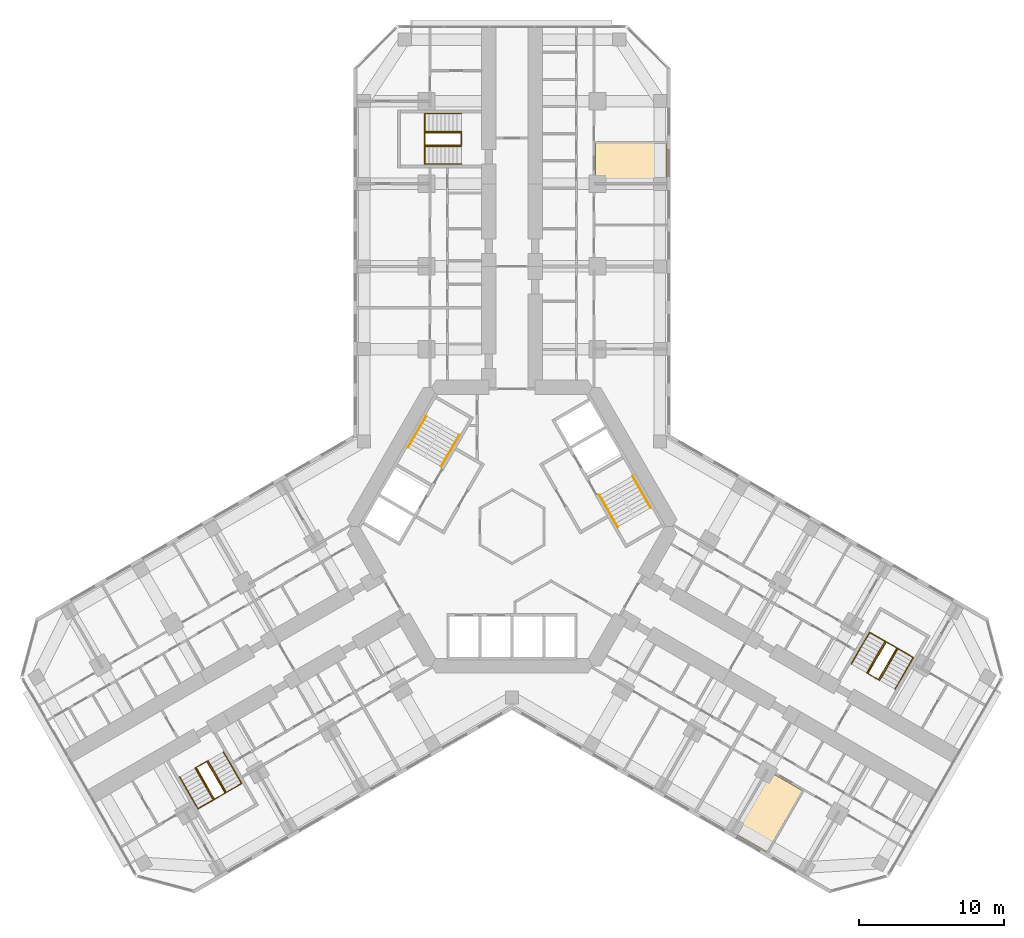
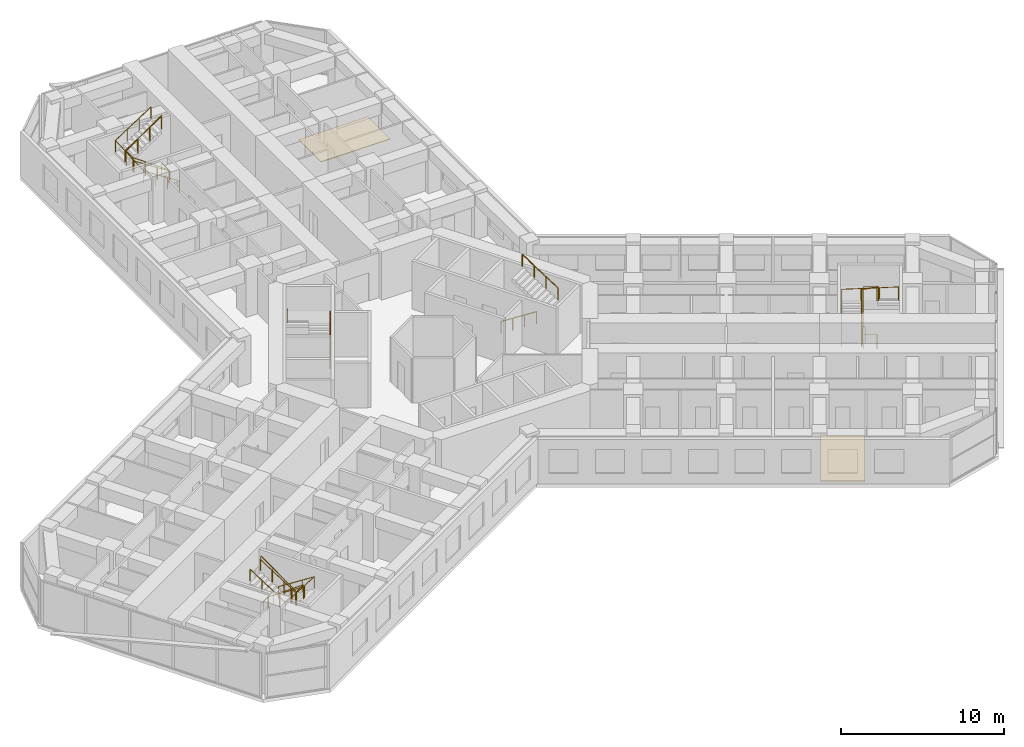
# One storey, part 21 of 21: 13 railings, 2 coverings.
"""IFC4 building model written with IfcOpenShell, lengths in metres."""

from ifc_helpers import new_model, si_unit, direction, frame, origin, origin_2d, place, context, subcontext, project, spatial, polyline, circle, outline, extrude, material, layer, layer_set, type_object, element, save


model = new_model("IFC4")

# Units and contexts
model_context = context("Model", 3, precision=1e-05, world=origin(), true_north=direction((0.0, 1.0)))
body_context = subcontext(model_context, "Body", "Model", "MODEL_VIEW")
ifc_project = project(units=[si_unit("LENGTHUNIT", "METRE"), si_unit("AREAUNIT", "SQUARE_METRE"), si_unit("VOLUMEUNIT", "CUBIC_METRE"), si_unit("PLANEANGLEUNIT", "RADIAN"), si_unit("MASSUNIT", "GRAM", prefix="KILO")], contexts=[model_context])

# Site, building, storey
site_placement = place(None, origin())
site = spatial("IfcSite", under=ifc_project, at=site_placement, CompositionType="ELEMENT")
building_placement = place(site_placement, origin())
building = spatial("IfcBuilding", under=site, at=building_placement, Name="Kosmar Iwan School Tower", CompositionType="ELEMENT")
storey_placement = place(building_placement, frame((0.0, 0.0, 98.800048828125)))
storey = spatial("IfcBuildingStorey", under=building, at=storey_placement, Name="L24", CompositionType="ELEMENT", Elevation=98.800048828125)

# Railings
ifc_material_1 = material(Name="Black steel", Category="steel")
railing_type_1 = type_object("IfcRailingType", Name="Stair handrail 900", PredefinedType="HANDRAIL", material=ifc_material_1)
railing_1_placement = place(storey_placement, frame((-4.89453125, 4.142333984375, 0.179931640625)))
element("IfcRailing", 1, at=railing_1_placement, inside=storey, type_object=railing_type_1, Name="Handrail ST2 flight 1", PredefinedType="HANDRAIL", context=body_context, shape_type="SweptSolid", body=[
    extrude(circle(Radius=0.02392578125, at=origin_2d()), frame((0.0, 0.0, 0.8759765625), z_axis=(0.420584145978, 0.728463801763, 0.540785970299), x_axis=(-0.866022637375, 0.500004791531, 0.0)), (0.0, 0.0, 1.0), 2.995849609375),
    extrude(circle(Radius=0.02099609375, at=origin_2d()), origin(), (0.0, 0.0, 1.0), 0.851806640625),
    extrude(circle(Radius=0.02099609375, at=origin_2d()), frame((0.419921875, 0.7275390625, 0.5400390625)), (0.0, 0.0, 1.0), 0.851806640625),
    extrude(circle(Radius=0.02099609375, at=origin_2d()), frame((0.840087890625, 1.454833984375, 1.080078125)), (0.0, 0.0, 1.0), 0.851806640625),
    extrude(circle(Radius=0.02099609375, at=origin_2d()), frame((1.260009765625, 2.182373046875, 1.6201171875)), (0.0, 0.0, 1.0), 0.851806640625),
])
railing_2_placement = place(storey_placement, frame((-5.912353515625, 7.6396484375, 1.97998046875)))
element("IfcRailing", 2, at=railing_2_placement, inside=storey, type_object=railing_type_1, Name="Handrail ST2 flight 2", PredefinedType="HANDRAIL", context=body_context, shape_type="SweptSolid", body=[
    extrude(circle(Radius=0.02392578125, at=origin_2d()), frame((0.0, 0.0, 0.8759765625), z_axis=(-0.42060268101, -0.72849590497, 0.54072830624), x_axis=(0.866022637375, -0.500004791531, 0.0)), (0.0, 0.0, 1.0), 2.99560546875),
    extrude(circle(Radius=0.02099609375, at=origin_2d()), origin(), (0.0, 0.0, 1.0), 0.851806640625),
    extrude(circle(Radius=0.02099609375, at=origin_2d()), frame((-0.419921875, -0.7275390625, 0.5400390625)), (0.0, 0.0, 1.0), 0.851806640625),
    extrude(circle(Radius=0.02099609375, at=origin_2d()), frame((-0.840087890625, -1.454833984375, 1.079833984375)), (0.0, 0.0, 1.0), 0.851806640625),
    extrude(circle(Radius=0.02099609375, at=origin_2d()), frame((-1.260009765625, -2.182373046875, 1.619873046875)), (0.0, 0.0, 1.0), 0.851806640625),
])
railing_3_placement = place(storey_placement, frame((6.03466796875, 2.167724609375, 0.179931640625)))
element("IfcRailing", 3, at=railing_3_placement, inside=storey, type_object=railing_type_1, Name="Handrail ST1 flight 1", PredefinedType="HANDRAIL", context=body_context, shape_type="SweptSolid", body=[
    extrude(circle(Radius=0.02392578125, at=origin_2d()), frame((0.0, 0.0, 0.8759765625), z_axis=(0.420584145978, -0.728463801763, 0.540785970299), x_axis=(0.866022637375, 0.500004791531, 0.0)), (0.0, 0.0, 1.0), 2.995849609375),
    extrude(circle(Radius=0.02099609375, at=origin_2d()), origin(), (0.0, 0.0, 1.0), 0.851806640625),
    extrude(circle(Radius=0.02099609375, at=origin_2d()), frame((0.419921875, -0.7275390625, 0.5400390625)), (0.0, 0.0, 1.0), 0.851806640625),
    extrude(circle(Radius=0.02099609375, at=origin_2d()), frame((0.840087890625, -1.454833984375, 1.080078125)), (0.0, 0.0, 1.0), 0.851806640625),
    extrude(circle(Radius=0.02099609375, at=origin_2d()), frame((1.260009765625, -2.182373046875, 1.6201171875)), (0.0, 0.0, 1.0), 0.851806640625),
])
railing_4_placement = place(storey_placement, frame((9.572265625, 1.30029296875, 1.97998046875)))
element("IfcRailing", 4, at=railing_4_placement, inside=storey, type_object=railing_type_1, Name="Handrail ST1 flight 2", PredefinedType="HANDRAIL", context=body_context, shape_type="SweptSolid", body=[
    extrude(circle(Radius=0.02392578125, at=origin_2d()), frame((0.0, 0.0, 0.8759765625), z_axis=(-0.42060268101, 0.72849590497, 0.54072830624), x_axis=(-0.866022637375, -0.500004791531, 0.0)), (0.0, 0.0, 1.0), 2.99560546875),
    extrude(circle(Radius=0.02099609375, at=origin_2d()), origin(), (0.0, 0.0, 1.0), 0.851806640625),
    extrude(circle(Radius=0.02099609375, at=origin_2d()), frame((-0.419921875, 0.7275390625, 0.5400390625)), (0.0, 0.0, 1.0), 0.851806640625),
    extrude(circle(Radius=0.02099609375, at=origin_2d()), frame((-0.840087890625, 1.454833984375, 1.079833984375)), (0.0, 0.0, 1.0), 0.851806640625),
    extrude(circle(Radius=0.02099609375, at=origin_2d()), frame((-1.260009765625, 2.182373046875, 1.619873046875)), (0.0, 0.0, 1.0), 0.851806640625),
])
railing_5_placement = place(storey_placement, frame((-3.5, 25.010009765625, 0.179931640625)))
element("IfcRailing", 5, at=railing_5_placement, inside=storey, type_object=railing_type_1, Name="Handrail stair WS1 L24 wall side", PredefinedType="HANDRAIL", context=body_context, shape_type="SweptSolid", body=[
    extrude(circle(Radius=0.02392578125, at=origin_2d()), frame((0.0, 0.0, 0.8759765625), z_axis=(-0.841162588446, 0.0, 0.540782303519), x_axis=(0.0, -1.0, 0.0)), (0.0, 0.0, 1.0), 2.995849609375),
    extrude(circle(Radius=0.02392578125, at=origin_2d()), frame((-2.52001953125, 0.0, 2.49609375), z_axis=(0.0, 0.998665981786, 0.051635809497), x_axis=(-1.0, 0.0, 0.0)), (0.0, 0.0, 1.0), 3.484619140625),
    extrude(circle(Radius=0.02392578125, at=origin_2d()), frame((-2.52001953125, 3.47998046875, 2.67578125), z_axis=(0.841199657755, 0.0, 0.540724639528), x_axis=(0.0, 1.0, 0.0)), (0.0, 0.0, 1.0), 2.995849609375),
    extrude(circle(Radius=0.02099609375, at=origin_2d()), origin(), (0.0, 0.0, 1.0), 0.851806640625),
    extrude(circle(Radius=0.02099609375, at=origin_2d()), frame((-0.840087890625, 0.0, 0.5400390625)), (0.0, 0.0, 1.0), 0.851806640625),
    extrude(circle(Radius=0.02099609375, at=origin_2d()), frame((-1.679931640625, 0.0, 1.080078125)), (0.0, 0.0, 1.0), 0.851806640625),
    extrude(circle(Radius=0.02099609375, at=origin_2d()), frame((-2.52001953125, 0.0, 1.6201171875)), (0.0, 0.0, 1.0), 0.851806640625),
    extrude(circle(Radius=0.02099609375, at=origin_2d()), frame((-2.52001953125, 1.159912109375, 1.68017578125)), (0.0, 0.0, 1.0), 0.851806640625),
    extrude(circle(Radius=0.02099609375, at=origin_2d()), frame((-2.52001953125, 2.320068359375, 1.739990234375)), (0.0, 0.0, 1.0), 0.851806640625),
    extrude(circle(Radius=0.02099609375, at=origin_2d()), frame((-2.52001953125, 3.47998046875, 1.800048828125)), (0.0, 0.0, 1.0), 0.851806640625),
    extrude(circle(Radius=0.02099609375, at=origin_2d()), frame((-1.679931640625, 3.47998046875, 2.340087890625)), (0.0, 0.0, 1.0), 0.851806640625),
    extrude(circle(Radius=0.02099609375, at=origin_2d()), frame((-0.840087890625, 3.47998046875, 2.8798828125)), (0.0, 0.0, 1.0), 0.851806640625),
    extrude(circle(Radius=0.02099609375, at=origin_2d()), frame((0.0, 3.47998046875, 3.419921875)), (0.0, 0.0, 1.0), 0.851806640625),
])
railing_6_placement = place(storey_placement, frame((-3.5, 26.239990234375, 0.179931640625)))
element("IfcRailing", 6, at=railing_6_placement, inside=storey, type_object=railing_type_1, Name="Handrail stair WS1 L24 well side", PredefinedType="HANDRAIL", context=body_context, shape_type="SweptSolid", body=[
    extrude(circle(Radius=0.02392578125, at=origin_2d()), frame((0.0, 0.0, 0.8759765625), z_axis=(-0.841162588446, 0.0, 0.540782303519), x_axis=(0.0, -1.0, 0.0)), (0.0, 0.0, 1.0), 2.995849609375),
    extrude(circle(Radius=0.02392578125, at=origin_2d()), frame((-2.52001953125, 0.0, 2.49609375), z_axis=(0.0, 0.984795421109, 0.173718100851), x_axis=(-1.0, 0.0, 0.0)), (0.0, 0.0, 1.0), 1.035888671875),
    extrude(circle(Radius=0.02392578125, at=origin_2d()), frame((-2.52001953125, 1.02001953125, 2.67578125), z_axis=(0.841199657755, 0.0, 0.540724639528), x_axis=(0.0, 1.0, 0.0)), (0.0, 0.0, 1.0), 2.995849609375),
    extrude(circle(Radius=0.02099609375, at=origin_2d()), origin(), (0.0, 0.0, 1.0), 0.851806640625),
    extrude(circle(Radius=0.02099609375, at=origin_2d()), frame((-0.840087890625, 0.0, 0.5400390625)), (0.0, 0.0, 1.0), 0.851806640625),
    extrude(circle(Radius=0.02099609375, at=origin_2d()), frame((-1.679931640625, 0.0, 1.080078125)), (0.0, 0.0, 1.0), 0.851806640625),
    extrude(circle(Radius=0.02099609375, at=origin_2d()), frame((-2.52001953125, 0.0, 1.6201171875)), (0.0, 0.0, 1.0), 0.851806640625),
    extrude(circle(Radius=0.02099609375, at=origin_2d()), frame((-2.52001953125, 1.02001953125, 1.800048828125)), (0.0, 0.0, 1.0), 0.851806640625),
    extrude(circle(Radius=0.02099609375, at=origin_2d()), frame((-1.679931640625, 1.02001953125, 2.340087890625)), (0.0, 0.0, 1.0), 0.851806640625),
    extrude(circle(Radius=0.02099609375, at=origin_2d()), frame((-0.840087890625, 1.02001953125, 2.8798828125)), (0.0, 0.0, 1.0), 0.851806640625),
    extrude(circle(Radius=0.02099609375, at=origin_2d()), frame((0.0, 1.02001953125, 3.419921875)), (0.0, 0.0, 1.0), 0.851806640625),
])
railing_7_placement = place(storey_placement, frame((-19.9091796875, -15.5361328125, 0.179931640625)))
element("IfcRailing", 7, at=railing_7_placement, inside=storey, type_object=railing_type_1, Name="Handrail stair WS2 L24 wall side", PredefinedType="HANDRAIL", context=body_context, shape_type="SweptSolid", body=[
    extrude(circle(Radius=0.02392578125, at=origin_2d()), frame((0.0, 0.0, 0.8759765625), z_axis=(0.420517065106, -0.728488768407, 0.540804504659), x_axis=(0.866064587494, 0.499932125682, 0.0)), (0.0, 0.0, 1.0), 2.995849609375),
    extrude(circle(Radius=0.02392578125, at=origin_2d()), frame((1.259765625, -2.182373046875, 2.49609375), z_axis=(-0.864864352349, -0.499342858003, 0.051636829851), x_axis=(0.500009906705, -0.86601968407, 0.0)), (0.0, 0.0, 1.0), 3.484619140625),
    extrude(circle(Radius=0.02392578125, at=origin_2d()), frame((-1.75390625, -3.92236328125, 2.67578125), z_axis=(-0.42060268101, 0.72849590497, 0.54072830624), x_axis=(-0.866022637375, -0.500004791531, 0.0)), (0.0, 0.0, 1.0), 2.99560546875),
    extrude(circle(Radius=0.02099609375, at=origin_2d()), origin(), (0.0, 0.0, 1.0), 0.851806640625),
    extrude(circle(Radius=0.02099609375, at=origin_2d()), frame((0.419921875, -0.7275390625, 0.5400390625)), (0.0, 0.0, 1.0), 0.851806640625),
    extrude(circle(Radius=0.02099609375, at=origin_2d()), frame((0.83984375, -1.454833984375, 1.080078125)), (0.0, 0.0, 1.0), 0.851806640625),
    extrude(circle(Radius=0.02099609375, at=origin_2d()), frame((1.259765625, -2.182373046875, 1.6201171875)), (0.0, 0.0, 1.0), 0.851806640625),
    extrude(circle(Radius=0.02099609375, at=origin_2d()), frame((0.255126953125, -2.762451171875, 1.68017578125)), (0.0, 0.0, 1.0), 0.851806640625),
    extrude(circle(Radius=0.02099609375, at=origin_2d()), frame((-0.749267578125, -3.34228515625, 1.739990234375)), (0.0, 0.0, 1.0), 0.851806640625),
    extrude(circle(Radius=0.02099609375, at=origin_2d()), frame((-1.75390625, -3.92236328125, 1.800048828125)), (0.0, 0.0, 1.0), 0.851806640625),
    extrude(circle(Radius=0.02099609375, at=origin_2d()), frame((-2.173828125, -3.19482421875, 2.340087890625)), (0.0, 0.0, 1.0), 0.851806640625),
    extrude(circle(Radius=0.02099609375, at=origin_2d()), frame((-2.593994140625, -2.467529296875, 2.8798828125)), (0.0, 0.0, 1.0), 0.851806640625),
    extrude(circle(Radius=0.02099609375, at=origin_2d()), frame((-3.013916015625, -1.739990234375, 3.419921875)), (0.0, 0.0, 1.0), 0.851806640625),
])
railing_8_placement = place(storey_placement, frame((-20.974609375, -16.151123046875, 0.179931640625)))
element("IfcRailing", 8, at=railing_8_placement, inside=storey, type_object=railing_type_1, Name="Handrail stair WS2 L24 well side", PredefinedType="HANDRAIL", context=body_context, shape_type="SweptSolid", body=[
    extrude(circle(Radius=0.02392578125, at=origin_2d()), frame((0.0, 0.0, 0.8759765625), z_axis=(0.420584145978, -0.728463801763, 0.540785970299), x_axis=(0.866022637375, 0.500004791531, 0.0)), (0.0, 0.0, 1.0), 2.995849609375),
    extrude(circle(Radius=0.02392578125, at=origin_2d()), frame((1.260009765625, -2.182373046875, 2.49609375), z_axis=(-0.852841519511, -0.492422867401, 0.173726976197), x_axis=(0.500026340207, -0.866010195725, 0.0)), (0.0, 0.0, 1.0), 1.03564453125),
    extrude(circle(Radius=0.02392578125, at=origin_2d()), frame((0.376708984375, -2.6923828125, 2.67578125), z_axis=(-0.42060268101, 0.72849590497, 0.54072830624), x_axis=(-0.866022637375, -0.500004791531, 0.0)), (0.0, 0.0, 1.0), 2.99560546875),
    extrude(circle(Radius=0.02099609375, at=origin_2d()), origin(), (0.0, 0.0, 1.0), 0.851806640625),
    extrude(circle(Radius=0.02099609375, at=origin_2d()), frame((0.419921875, -0.7275390625, 0.5400390625)), (0.0, 0.0, 1.0), 0.851806640625),
    extrude(circle(Radius=0.02099609375, at=origin_2d()), frame((0.840087890625, -1.454833984375, 1.080078125)), (0.0, 0.0, 1.0), 0.851806640625),
    extrude(circle(Radius=0.02099609375, at=origin_2d()), frame((1.260009765625, -2.182373046875, 1.6201171875)), (0.0, 0.0, 1.0), 0.851806640625),
    extrude(circle(Radius=0.02099609375, at=origin_2d()), frame((0.376708984375, -2.6923828125, 1.800048828125)), (0.0, 0.0, 1.0), 0.851806640625),
    extrude(circle(Radius=0.02099609375, at=origin_2d()), frame((-0.043212890625, -1.96484375, 2.340087890625)), (0.0, 0.0, 1.0), 0.851806640625),
    extrude(circle(Radius=0.02099609375, at=origin_2d()), frame((-0.46337890625, -1.237548828125, 2.8798828125)), (0.0, 0.0, 1.0), 0.851806640625),
    extrude(circle(Radius=0.02099609375, at=origin_2d()), frame((-0.88330078125, -0.510009765625, 3.419921875)), (0.0, 0.0, 1.0), 0.851806640625),
])
railing_9_placement = place(storey_placement, frame((23.4091796875, -9.473876953125, 0.179931640625)))
element("IfcRailing", 9, at=railing_9_placement, inside=storey, type_object=railing_type_1, Name="Handrail stair WS3 L24 wall side", PredefinedType="HANDRAIL", context=body_context, shape_type="SweptSolid", body=[
    extrude(circle(Radius=0.02392578125, at=origin_2d()), frame((0.0, 0.0, 0.8759765625), z_axis=(0.420584145978, 0.728463801763, 0.540785970299), x_axis=(-0.866022637375, 0.500004791531, 0.0)), (0.0, 0.0, 1.0), 2.995849609375),
    extrude(circle(Radius=0.02392578125, at=origin_2d()), frame((1.260009765625, 2.182373046875, 2.49609375), z_axis=(0.864882007433, -0.499312601618, 0.051633701051), x_axis=(0.499979528911, 0.866037222451, 0.0)), (0.0, 0.0, 1.0), 3.48486328125),
    extrude(circle(Radius=0.02392578125, at=origin_2d()), frame((4.27392578125, 0.4423828125, 2.67578125), z_axis=(-0.42060268101, -0.72849590497, 0.54072830624), x_axis=(0.866022637375, -0.500004791531, 0.0)), (0.0, 0.0, 1.0), 2.99560546875),
    extrude(circle(Radius=0.02099609375, at=origin_2d()), origin(), (0.0, 0.0, 1.0), 0.851806640625),
    extrude(circle(Radius=0.02099609375, at=origin_2d()), frame((0.419921875, 0.7275390625, 0.5400390625)), (0.0, 0.0, 1.0), 0.851806640625),
    extrude(circle(Radius=0.02099609375, at=origin_2d()), frame((0.840087890625, 1.454833984375, 1.080078125)), (0.0, 0.0, 1.0), 0.851806640625),
    extrude(circle(Radius=0.02099609375, at=origin_2d()), frame((1.260009765625, 2.182373046875, 1.6201171875)), (0.0, 0.0, 1.0), 0.851806640625),
    extrude(circle(Radius=0.02099609375, at=origin_2d()), frame((2.2646484375, 1.602294921875, 1.68017578125)), (0.0, 0.0, 1.0), 0.851806640625),
    extrude(circle(Radius=0.02099609375, at=origin_2d()), frame((3.269287109375, 1.0224609375, 1.739990234375)), (0.0, 0.0, 1.0), 0.851806640625),
    extrude(circle(Radius=0.02099609375, at=origin_2d()), frame((4.27392578125, 0.4423828125, 1.800048828125)), (0.0, 0.0, 1.0), 0.851806640625),
    extrude(circle(Radius=0.02099609375, at=origin_2d()), frame((3.85400390625, -0.28515625, 2.340087890625)), (0.0, 0.0, 1.0), 0.851806640625),
    extrude(circle(Radius=0.02099609375, at=origin_2d()), frame((3.433837890625, -1.012451171875, 2.8798828125)), (0.0, 0.0, 1.0), 0.851806640625),
    extrude(circle(Radius=0.02099609375, at=origin_2d()), frame((3.013916015625, -1.739990234375, 3.419921875)), (0.0, 0.0, 1.0), 0.851806640625),
])
railing_10_placement = place(storey_placement, frame((24.474609375, -10.0888671875, 0.179931640625)))
element("IfcRailing", 10, at=railing_10_placement, inside=storey, type_object=railing_type_1, Name="Handrail stair WS3 L24 well side", PredefinedType="HANDRAIL", context=body_context, shape_type="SweptSolid", body=[
    extrude(circle(Radius=0.02392578125, at=origin_2d()), frame((0.0, 0.0, 0.8759765625), z_axis=(0.420584145978, 0.728463801763, 0.540785970299), x_axis=(-0.866022637375, 0.500004791531, 0.0)), (0.0, 0.0, 1.0), 2.995849609375),
    extrude(circle(Radius=0.02392578125, at=origin_2d()), frame((1.260009765625, 2.182373046875, 2.49609375), z_axis=(0.852841519511, -0.492422867401, 0.173726976197), x_axis=(0.500026340207, 0.866010195725, 0.0)), (0.0, 0.0, 1.0), 1.03564453125),
    extrude(circle(Radius=0.02392578125, at=origin_2d()), frame((2.143310546875, 1.67236328125, 2.67578125), z_axis=(-0.42060268101, -0.72849590497, 0.54072830624), x_axis=(0.866022637375, -0.500004791531, 0.0)), (0.0, 0.0, 1.0), 2.99560546875),
    extrude(circle(Radius=0.02099609375, at=origin_2d()), origin(), (0.0, 0.0, 1.0), 0.851806640625),
    extrude(circle(Radius=0.02099609375, at=origin_2d()), frame((0.419921875, 0.7275390625, 0.5400390625)), (0.0, 0.0, 1.0), 0.851806640625),
    extrude(circle(Radius=0.02099609375, at=origin_2d()), frame((0.840087890625, 1.454833984375, 1.080078125)), (0.0, 0.0, 1.0), 0.851806640625),
    extrude(circle(Radius=0.02099609375, at=origin_2d()), frame((1.260009765625, 2.182373046875, 1.6201171875)), (0.0, 0.0, 1.0), 0.851806640625),
    extrude(circle(Radius=0.02099609375, at=origin_2d()), frame((2.143310546875, 1.67236328125, 1.800048828125)), (0.0, 0.0, 1.0), 0.851806640625),
    extrude(circle(Radius=0.02099609375, at=origin_2d()), frame((1.723388671875, 0.94482421875, 2.340087890625)), (0.0, 0.0, 1.0), 0.851806640625),
    extrude(circle(Radius=0.02099609375, at=origin_2d()), frame((1.30322265625, 0.217529296875, 2.8798828125)), (0.0, 0.0, 1.0), 0.851806640625),
    extrude(circle(Radius=0.02099609375, at=origin_2d()), frame((0.88330078125, -0.510009765625, 3.419921875)), (0.0, 0.0, 1.0), 0.851806640625),
])
ifc_material_2 = material(Name="Black steel", Category="steel")
railing_type_2 = type_object("IfcRailingType", Name="Stair well guard 1100", PredefinedType="GUARDRAIL", material=ifc_material_2)
railing_11_placement = place(storey_placement, frame((-3.5, 27.169921875, 0.0)))
element("IfcRailing", 11, at=railing_11_placement, inside=storey, type_object=railing_type_2, Name="Stair WS1 L24 well guard", PredefinedType="GUARDRAIL", context=body_context, shape_type="SweptSolid", body=[
    extrude(circle(Radius=0.02392578125, at=origin_2d()), frame((0.0, 0.0, 1.076171875), z_axis=(0.0, -1.0, 0.0), x_axis=(1.0, 0.0, 0.0)), (0.0, 0.0, 1.0), 0.83984375),
    extrude(circle(Radius=0.02392578125, at=origin_2d()), frame((0.0, -0.83984375, 1.076171875), z_axis=(-0.813728144527, 0.0, 0.581245650998), x_axis=(0.0, -1.0, 0.0)), (0.0, 0.0, 1.0), 3.096923828125),
    extrude(circle(Radius=0.02392578125, at=origin_2d()), frame((-2.52001953125, -0.83984375, 2.8759765625), z_axis=(0.0, 1.0, 0.0), x_axis=(-1.0, 0.0, 0.0)), (0.0, 0.0, 1.0), 0.83984375),
    extrude(circle(Radius=0.02392578125, at=origin_2d()), frame((-2.52001953125, 0.0, 2.8759765625), z_axis=(0.813765431312, 0.0, 0.581193446971), x_axis=(0.0, 1.0, 0.0)), (0.0, 0.0, 1.0), 3.0966796875),
    extrude(circle(Radius=0.02099609375, at=origin_2d()), origin(), (0.0, 0.0, 1.0), 1.052001953125),
    extrude(circle(Radius=0.02099609375, at=origin_2d()), frame((0.0, -0.83984375, 0.0)), (0.0, 0.0, 1.0), 1.052001953125),
    extrude(circle(Radius=0.02099609375, at=origin_2d()), frame((-0.840087890625, -0.83984375, 0.60009765625)), (0.0, 0.0, 1.0), 1.052001953125),
    extrude(circle(Radius=0.02099609375, at=origin_2d()), frame((-1.679931640625, -0.83984375, 1.199951171875)), (0.0, 0.0, 1.0), 1.052001953125),
    extrude(circle(Radius=0.02099609375, at=origin_2d()), frame((-2.52001953125, -0.83984375, 1.800048828125)), (0.0, 0.0, 1.0), 1.052001953125),
    extrude(circle(Radius=0.02099609375, at=origin_2d()), frame((-2.52001953125, 0.0, 1.800048828125)), (0.0, 0.0, 1.0), 1.052001953125),
    extrude(circle(Radius=0.02099609375, at=origin_2d()), frame((-1.679931640625, 0.0, 2.39990234375)), (0.0, 0.0, 1.0), 1.052001953125),
    extrude(circle(Radius=0.02099609375, at=origin_2d()), frame((-0.840087890625, 0.0, 3.0)), (0.0, 0.0, 1.0), 1.052001953125),
    extrude(circle(Radius=0.02099609375, at=origin_2d()), frame((0.0, 0.0, 3.599853515625)), (0.0, 0.0, 1.0), 1.052001953125),
])
railing_12_placement = place(storey_placement, frame((-21.780029296875, -16.6162109375, 0.0)))
element("IfcRailing", 12, at=railing_12_placement, inside=storey, type_object=railing_type_2, Name="Stair WS2 L24 well guard", PredefinedType="GUARDRAIL", context=body_context, shape_type="SweptSolid", body=[
    extrude(circle(Radius=0.02392578125, at=origin_2d()), frame((0.0, 0.0, 1.076171875), z_axis=(0.865962960534, 0.500108139288, 0.0), x_axis=(-0.500108139288, 0.865962960534, 0.0)), (0.0, 0.0, 1.0), 0.840087890625),
    extrude(circle(Radius=0.02392578125, at=origin_2d()), frame((0.7275390625, 0.420166015625, 1.076171875), z_axis=(0.40686665399, -0.704704712268, 0.58124933925), x_axis=(0.866022637375, 0.500004791531, 0.0)), (0.0, 0.0, 1.0), 3.096923828125),
    extrude(circle(Radius=0.02392578125, at=origin_2d()), frame((1.987548828125, -1.76220703125, 2.8759765625), z_axis=(-0.865962960534, -0.500108139288, 0.0), x_axis=(0.500108139288, -0.865962960534, 0.0)), (0.0, 0.0, 1.0), 0.840087890625),
    extrude(circle(Radius=0.02392578125, at=origin_2d()), frame((1.260009765625, -2.182373046875, 2.8759765625), z_axis=(-0.406885297737, 0.704737003773, 0.581197135229), x_axis=(-0.866022637375, -0.500004791531, 0.0)), (0.0, 0.0, 1.0), 3.0966796875),
    extrude(circle(Radius=0.02099609375, at=origin_2d()), origin(), (0.0, 0.0, 1.0), 1.052001953125),
    extrude(circle(Radius=0.02099609375, at=origin_2d()), frame((0.7275390625, 0.420166015625, 0.0)), (0.0, 0.0, 1.0), 1.052001953125),
    extrude(circle(Radius=0.02099609375, at=origin_2d()), frame((1.1474609375, -0.307373046875, 0.60009765625)), (0.0, 0.0, 1.0), 1.052001953125),
    extrude(circle(Radius=0.02099609375, at=origin_2d()), frame((1.567626953125, -1.03466796875, 1.199951171875)), (0.0, 0.0, 1.0), 1.052001953125),
    extrude(circle(Radius=0.02099609375, at=origin_2d()), frame((1.987548828125, -1.76220703125, 1.800048828125)), (0.0, 0.0, 1.0), 1.052001953125),
    extrude(circle(Radius=0.02099609375, at=origin_2d()), frame((1.260009765625, -2.182373046875, 1.800048828125)), (0.0, 0.0, 1.0), 1.052001953125),
    extrude(circle(Radius=0.02099609375, at=origin_2d()), frame((0.840087890625, -1.454833984375, 2.39990234375)), (0.0, 0.0, 1.0), 1.052001953125),
    extrude(circle(Radius=0.02099609375, at=origin_2d()), frame((0.419921875, -0.7275390625, 3.0)), (0.0, 0.0, 1.0), 1.052001953125),
    extrude(circle(Radius=0.02099609375, at=origin_2d()), frame((0.0, 0.0, 3.599853515625)), (0.0, 0.0, 1.0), 1.052001953125),
])
railing_13_placement = place(storey_placement, frame((25.280029296875, -10.553955078125, 0.0)))
element("IfcRailing", 13, at=railing_13_placement, inside=storey, type_object=railing_type_2, Name="Stair WS3 L24 well guard", PredefinedType="GUARDRAIL", context=body_context, shape_type="SweptSolid", body=[
    extrude(circle(Radius=0.02392578125, at=origin_2d()), frame((0.0, 0.0, 1.076171875), z_axis=(-0.865962960534, 0.500108139288, 0.0), x_axis=(-0.500108139288, -0.865962960534, 0.0)), (0.0, 0.0, 1.0), 0.840087890625),
    extrude(circle(Radius=0.02392578125, at=origin_2d()), frame((-0.7275390625, 0.420166015625, 1.076171875), z_axis=(0.40686665399, 0.704704712268, 0.58124933925), x_axis=(-0.866022637375, 0.500004791531, 0.0)), (0.0, 0.0, 1.0), 3.096923828125),
    extrude(circle(Radius=0.02392578125, at=origin_2d()), frame((0.532470703125, 2.6025390625, 2.8759765625), z_axis=(0.865890253765, -0.500234013672, 0.0), x_axis=(0.500234013672, 0.865890253765, 0.0)), (0.0, 0.0, 1.0), 0.83984375),
    extrude(circle(Radius=0.02392578125, at=origin_2d()), frame((1.259765625, 2.182373046875, 2.8759765625), z_axis=(-0.406819508263, -0.704759609372, 0.581215778084), x_axis=(0.866064587494, -0.499932125682, 0.0)), (0.0, 0.0, 1.0), 3.0966796875),
    extrude(circle(Radius=0.02099609375, at=origin_2d()), origin(), (0.0, 0.0, 1.0), 1.052001953125),
    extrude(circle(Radius=0.02099609375, at=origin_2d()), frame((-0.7275390625, 0.420166015625, 0.0)), (0.0, 0.0, 1.0), 1.052001953125),
    extrude(circle(Radius=0.02099609375, at=origin_2d()), frame((-0.3076171875, 1.147705078125, 0.60009765625)), (0.0, 0.0, 1.0), 1.052001953125),
    extrude(circle(Radius=0.02099609375, at=origin_2d()), frame((0.112548828125, 1.875, 1.199951171875)), (0.0, 0.0, 1.0), 1.052001953125),
    extrude(circle(Radius=0.02099609375, at=origin_2d()), frame((0.532470703125, 2.6025390625, 1.800048828125)), (0.0, 0.0, 1.0), 1.052001953125),
    extrude(circle(Radius=0.02099609375, at=origin_2d()), frame((1.259765625, 2.182373046875, 1.800048828125)), (0.0, 0.0, 1.0), 1.052001953125),
    extrude(circle(Radius=0.02099609375, at=origin_2d()), frame((0.83984375, 1.454833984375, 2.39990234375)), (0.0, 0.0, 1.0), 1.052001953125),
    extrude(circle(Radius=0.02099609375, at=origin_2d()), frame((0.419921875, 0.7275390625, 3.0)), (0.0, 0.0, 1.0), 1.052001953125),
    extrude(circle(Radius=0.02099609375, at=origin_2d()), frame((0.0, 0.0, 3.599853515625)), (0.0, 0.0, 1.0), 1.052001953125),
])

# Coverings
ifc_material_3 = material(Name="Honed limestone on mortar bed", Category="masonry")
ifc_layer = layer(ifc_material_3, 0.0400390625)
ifc_layer_set = layer_set([ifc_layer], Name="Winter garden stone flooring 40")
covering_type = type_object("IfcCoveringType", Name="Winter garden stone flooring 40", PredefinedType="FLOORING", material=ifc_layer_set)
covering_1_placement = place(storey_placement, origin())
element("IfcCovering", 14, at=covering_1_placement, inside=storey, type_object=covering_type, Name="Winter garden flooring L24-AR2-F3", PredefinedType="FLOORING", context=body_context, shape_type="SweptSolid", body=[
    extrude(outline(polyline([(5.760009765625, 23.699951171875), (10.64990234375, 23.699951171875), (10.64990234375, 26.449951171875), (5.760009765625, 26.449951171875), (5.760009765625, 23.699951171875)])), origin(), (0.0, 0.0, 1.0), 0.0400390625),
])
covering_2_placement = place(storey_placement, origin())
element("IfcCovering", 15, at=covering_2_placement, inside=storey, type_object=covering_type, Name="Winter garden flooring L24-CR2-F2", PredefinedType="FLOORING", context=body_context, shape_type="SweptSolid", body=[
    extrude(outline(polyline([(17.581298828125, -22.4482421875), (20.0263671875, -18.21337890625), (17.644775390625, -16.83837890625), (15.19970703125, -21.0732421875), (17.581298828125, -22.4482421875)])), origin(), (0.0, 0.0, 1.0), 0.0400390625),
])

save(model, "model.ifc")
